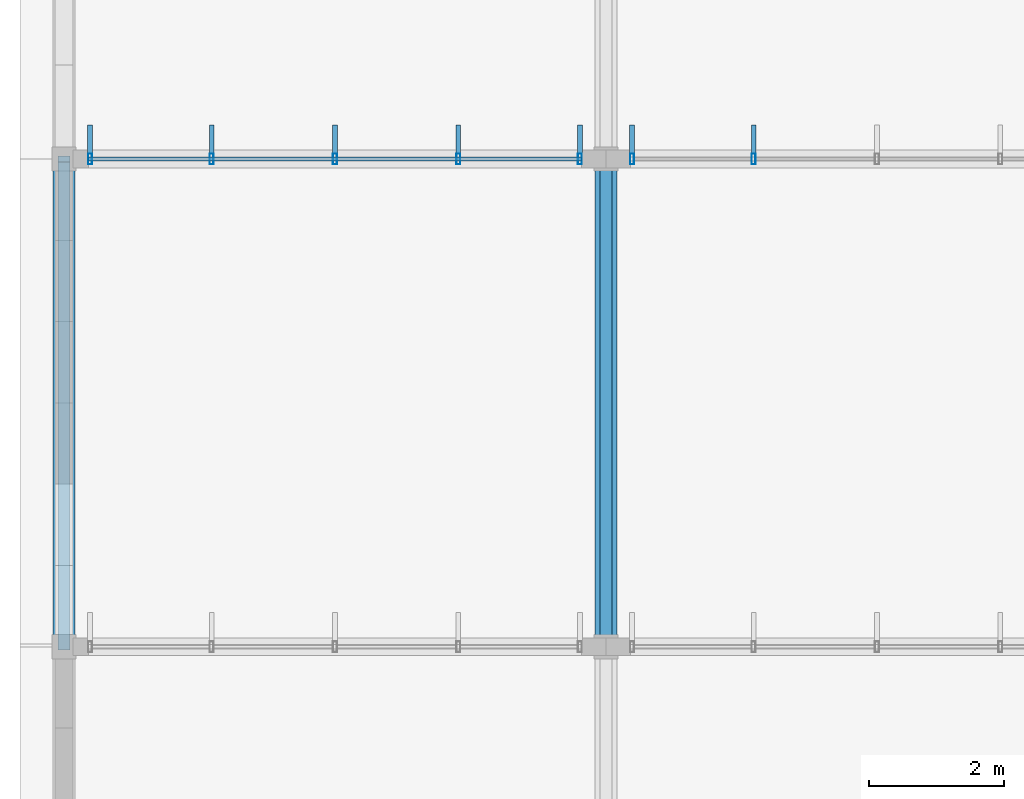
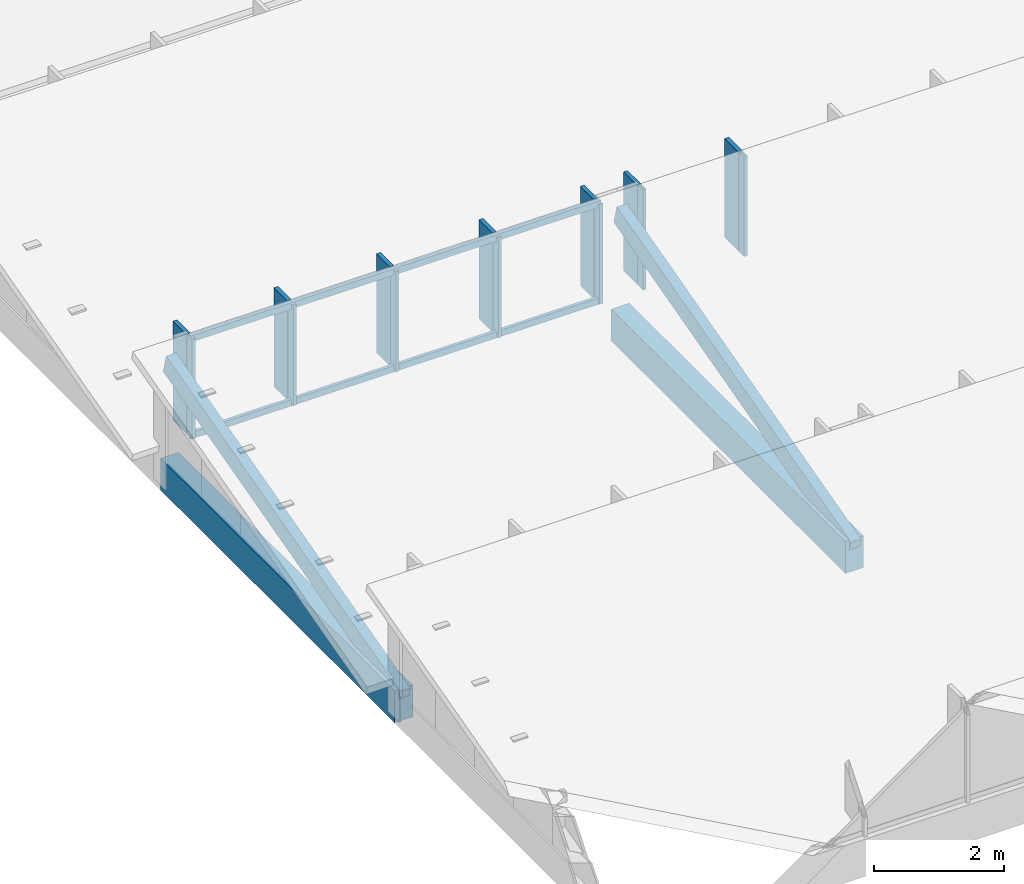
# One storey, part 34 of 94: 20 members, 2 elements without a shape of their own.
"""IFC4 building model written with IfcOpenShell, lengths in metres."""

from ifc_helpers import new_model, si_unit, direction, frame, origin, origin_2d, place, context, subcontext, project, spatial, rectangle, hollow_rectangle, extrude, material, material_profile, profile_set, type_object, element, aggregate, save


model = new_model("IFC4")

# Units and contexts
model_context = context("Model", 3, precision=1e-05, world=origin(), true_north=direction((0.0, 1.0)))
body_context = subcontext(model_context, "Body", "Model", "MODEL_VIEW")
ifc_project = project(units=[si_unit("LENGTHUNIT", "METRE"), si_unit("AREAUNIT", "SQUARE_METRE"), si_unit("VOLUMEUNIT", "CUBIC_METRE"), si_unit("PLANEANGLEUNIT", "RADIAN"), si_unit("MASSUNIT", "GRAM", prefix="KILO")], contexts=[model_context])

# Site, building, storey
site_placement = place(None, origin())
site = spatial("IfcSite", under=ifc_project, at=site_placement, CompositionType="ELEMENT")
building_placement = place(site_placement, origin())
building = spatial("IfcBuilding", under=site, at=building_placement, Name="Chiffa Square Polytechnic", CompositionType="ELEMENT")
storey_placement = place(building_placement, frame((0.0, 0.0, 18.0)))
storey = spatial("IfcBuildingStorey", under=building, at=storey_placement, Name="L04", CompositionType="ELEMENT", Elevation=18.0)

# Curtain wall, members
ifc_material_1 = material(Name="Aluminium EN AW-6060 T66 and glulam shading", Category="wood")
curtain_wall_type_1 = type_object("IfcCurtainWallType", Name="CW-VERT-450X440", PredefinedType="USERDEFINED", material=ifc_material_1)
curtain_wall_1_placement = place(storey_placement, origin())
curtain_wall_1 = element("IfcCurtainWall", 1, at=curtain_wall_1_placement, inside=storey, type_object=curtain_wall_type_1, Name="Curtain wall CW-V6-SAW7-1", ObjectType="CURTAIN WALL", PredefinedType="USERDEFINED")
ifc_material_2 = material(Name="Aluminium EN AW-6060 T66", Category="aluminium")
ifc_material_profile_1 = material_profile(ifc_material_2, hollow_rectangle(XDim=0.06005859375, YDim=0.159912109375, WallThickness=0.00390625, at=origin_2d()), Name="ALU 60x160x4")
ifc_profile_set_1 = profile_set([ifc_material_profile_1], Name="Aluminium EN AW-6060 T66")
member_type_1 = type_object("IfcMemberType", Name="CWM-ALU-65X150", PredefinedType="MULLION", material=ifc_profile_set_1)
member_1_placement = place(storey_placement, frame((7.614990234375, 87.0, 0.699951171875), z_axis=(0.0, 0.0, 1.0), x_axis=(1.0, 0.0, 0.0)))
member_1 = element("IfcMember", 2, at=member_1_placement, type_object=member_type_1, Name="Curtain wall mullion CW-V6-SAW7-1-M00", PredefinedType="MULLION", context=body_context, shape_type="SweptSolid", body=[
    extrude(hollow_rectangle(XDim=0.06005859375, YDim=0.159912109375, WallThickness=0.00390625, at=origin_2d()), origin(), (0.0, 0.0, 1.0), 1.879150390625),
])
member_2_placement = place(storey_placement, frame((5.820068359375, 87.0, 0.699951171875), z_axis=(0.0, 0.0, 1.0), x_axis=(1.0, 0.0, 0.0)))
member_2 = element("IfcMember", 3, at=member_2_placement, type_object=member_type_1, Name="Curtain wall mullion CW-V6-SAW7-1-M01", PredefinedType="MULLION", context=body_context, shape_type="SweptSolid", body=[
    extrude(hollow_rectangle(XDim=0.06005859375, YDim=0.159912109375, WallThickness=0.00390625, at=origin_2d()), origin(), (0.0, 0.0, 1.0), 1.879150390625),
])
member_3_placement = place(storey_placement, frame((4.0, 87.0, 0.699951171875), z_axis=(0.0, 0.0, 1.0), x_axis=(1.0, 0.0, 0.0)))
member_3 = element("IfcMember", 4, at=member_3_placement, type_object=member_type_1, Name="Curtain wall mullion CW-V6-SAW7-1-M02", PredefinedType="MULLION", context=body_context, shape_type="SweptSolid", body=[
    extrude(hollow_rectangle(XDim=0.06005859375, YDim=0.159912109375, WallThickness=0.00390625, at=origin_2d()), origin(), (0.0, 0.0, 1.0), 1.879150390625),
])
member_4_placement = place(storey_placement, frame((2.179931640625, 87.0, 0.699951171875), z_axis=(0.0, 0.0, 1.0), x_axis=(1.0, 0.0, 0.0)))
member_4 = element("IfcMember", 5, at=member_4_placement, type_object=member_type_1, Name="Curtain wall mullion CW-V6-SAW7-1-M03", PredefinedType="MULLION", context=body_context, shape_type="SweptSolid", body=[
    extrude(hollow_rectangle(XDim=0.06005859375, YDim=0.159912109375, WallThickness=0.00390625, at=origin_2d()), origin(), (0.0, 0.0, 1.0), 1.879150390625),
])
member_5_placement = place(storey_placement, frame((0.385009765625, 87.0, 0.699951171875), z_axis=(0.0, 0.0, 1.0), x_axis=(1.0, 0.0, 0.0)))
member_5 = element("IfcMember", 6, at=member_5_placement, type_object=member_type_1, Name="Curtain wall mullion CW-V6-SAW7-1-M04", PredefinedType="MULLION", context=body_context, shape_type="SweptSolid", body=[
    extrude(hollow_rectangle(XDim=0.06005859375, YDim=0.159912109375, WallThickness=0.00390625, at=origin_2d()), origin(), (0.0, 0.0, 1.0), 1.879150390625),
])

curtain_wall_type_2 = type_object("IfcCurtainWallType", Name="CW-VERT-600X440", PredefinedType="USERDEFINED", material=ifc_material_1)
curtain_wall_2_placement = place(storey_placement, origin())
curtain_wall_2 = element("IfcCurtainWall", 7, at=curtain_wall_2_placement, inside=storey, type_object=curtain_wall_type_2, Name="Curtain wall CW-V6-SAW7-2", ObjectType="CURTAIN WALL", PredefinedType="USERDEFINED")
member_6_placement = place(storey_placement, frame((10.179931640625, 87.0, 0.699951171875), z_axis=(0.0, 0.0, 1.0), x_axis=(1.0, 0.0, 0.0)))
member_6 = element("IfcMember", 8, at=member_6_placement, type_object=member_type_1, Name="Curtain wall mullion CW-V6-SAW7-2-M03", PredefinedType="MULLION", context=body_context, shape_type="SweptSolid", body=[
    extrude(hollow_rectangle(XDim=0.06005859375, YDim=0.159912109375, WallThickness=0.00390625, at=origin_2d()), origin(), (0.0, 0.0, 1.0), 1.879150390625),
])
member_7_placement = place(storey_placement, frame((8.385009765625, 87.0, 0.699951171875), z_axis=(0.0, 0.0, 1.0), x_axis=(1.0, 0.0, 0.0)))
member_7 = element("IfcMember", 9, at=member_7_placement, type_object=member_type_1, Name="Curtain wall mullion CW-V6-SAW7-2-M04", PredefinedType="MULLION", context=body_context, shape_type="SweptSolid", body=[
    extrude(hollow_rectangle(XDim=0.06005859375, YDim=0.159912109375, WallThickness=0.00390625, at=origin_2d()), origin(), (0.0, 0.0, 1.0), 1.879150390625),
])

# Member
ifc_material_3 = material(Name="Glulam GL28h", Category="wood")
ifc_material_profile_2 = material_profile(ifc_material_3, rectangle(XDim=0.070068359375, YDim=0.419921875, at=origin_2d()), Name="GL28h 70x420")
ifc_profile_set_2 = profile_set([ifc_material_profile_2], Name="Glulam GL28h")
member_type_2 = type_object("IfcMemberType", Name="CWM-GL-70X420", PredefinedType="MULLION", material=ifc_profile_set_2)
member_8_placement = place(storey_placement, frame((7.614990234375, 87.2919921875, 0.7099609375), z_axis=(0.0, 0.0, 1.0), x_axis=(-1.0, 0.0, 0.0)))
member_8 = element("IfcMember", 10, at=member_8_placement, type_object=member_type_2, Name="Exterior glulam solar fin CW-V6-SAW7-1-FN00", PredefinedType="MULLION", context=body_context, shape_type="SweptSolid", body=[
    extrude(rectangle(XDim=0.070068359375, YDim=0.419921875, at=origin_2d()), origin(), (0.0, 0.0, 1.0), 1.859130859375),
])

member_9_placement = place(storey_placement, frame((5.820068359375, 87.2919921875, 0.7099609375), z_axis=(0.0, 0.0, 1.0), x_axis=(-1.0, 0.0, 0.0)))
member_9 = element("IfcMember", 11, at=member_9_placement, type_object=member_type_2, Name="Exterior glulam solar fin CW-V6-SAW7-1-FN01", PredefinedType="MULLION", context=body_context, shape_type="SweptSolid", body=[
    extrude(rectangle(XDim=0.070068359375, YDim=0.419921875, at=origin_2d()), origin(), (0.0, 0.0, 1.0), 1.859130859375),
])

member_10_placement = place(storey_placement, frame((4.0, 87.2919921875, 0.7099609375), z_axis=(0.0, 0.0, 1.0), x_axis=(-1.0, 0.0, 0.0)))
member_10 = element("IfcMember", 12, at=member_10_placement, type_object=member_type_2, Name="Exterior glulam solar fin CW-V6-SAW7-1-FN02", PredefinedType="MULLION", context=body_context, shape_type="SweptSolid", body=[
    extrude(rectangle(XDim=0.070068359375, YDim=0.419921875, at=origin_2d()), origin(), (0.0, 0.0, 1.0), 1.859130859375),
])

member_11_placement = place(storey_placement, frame((2.179931640625, 87.2919921875, 0.7099609375), z_axis=(0.0, 0.0, 1.0), x_axis=(-1.0, 0.0, 0.0)))
member_11 = element("IfcMember", 13, at=member_11_placement, type_object=member_type_2, Name="Exterior glulam solar fin CW-V6-SAW7-1-FN03", PredefinedType="MULLION", context=body_context, shape_type="SweptSolid", body=[
    extrude(rectangle(XDim=0.070068359375, YDim=0.419921875, at=origin_2d()), origin(), (0.0, 0.0, 1.0), 1.859130859375),
])

member_12_placement = place(storey_placement, frame((0.385009765625, 87.2919921875, 0.7099609375), z_axis=(0.0, 0.0, 1.0), x_axis=(-1.0, 0.0, 0.0)))
member_12 = element("IfcMember", 14, at=member_12_placement, type_object=member_type_2, Name="Exterior glulam solar fin CW-V6-SAW7-1-FN04", PredefinedType="MULLION", context=body_context, shape_type="SweptSolid", body=[
    extrude(rectangle(XDim=0.070068359375, YDim=0.419921875, at=origin_2d()), origin(), (0.0, 0.0, 1.0), 1.859130859375),
])

member_13_placement = place(storey_placement, frame((10.179931640625, 87.2919921875, 0.7099609375), z_axis=(0.0, 0.0, 1.0), x_axis=(-1.0, 0.0, 0.0)))
member_13 = element("IfcMember", 15, at=member_13_placement, type_object=member_type_2, Name="Exterior glulam solar fin CW-V6-SAW7-2-FN03", PredefinedType="MULLION", context=body_context, shape_type="SweptSolid", body=[
    extrude(rectangle(XDim=0.070068359375, YDim=0.419921875, at=origin_2d()), origin(), (0.0, 0.0, 1.0), 1.859130859375),
])

member_14_placement = place(storey_placement, frame((8.385009765625, 87.2919921875, 0.7099609375), z_axis=(0.0, 0.0, 1.0), x_axis=(-1.0, 0.0, 0.0)))
member_14 = element("IfcMember", 16, at=member_14_placement, type_object=member_type_2, Name="Exterior glulam solar fin CW-V6-SAW7-2-FN04", PredefinedType="MULLION", context=body_context, shape_type="SweptSolid", body=[
    extrude(rectangle(XDim=0.070068359375, YDim=0.419921875, at=origin_2d()), origin(), (0.0, 0.0, 1.0), 1.859130859375),
])

aggregate(curtain_wall_2, [member_6, member_13, member_7, member_14])

ifc_material_profile_3 = material_profile(ifc_material_2, hollow_rectangle(XDim=0.06005859375, YDim=0.1201171875, WallThickness=0.00390625, at=origin_2d()), Name="ALU 60x120x4")
ifc_profile_set_3 = profile_set([ifc_material_profile_3], Name="Aluminium EN AW-6060 T66")
member_type_3 = type_object("IfcMemberType", Name="CWT-ALU-65X120", PredefinedType="USERDEFINED", material=ifc_profile_set_3)
member_15_placement = place(storey_placement, frame((7.64208984375, 87.0, 0.72998046875), z_axis=(-1.0, 0.0, 0.0), x_axis=(0.0, -1.0, 0.0)))
member_15 = element("IfcMember", 17, at=member_15_placement, type_object=member_type_3, Name="Curtain wall transom CW-V6-SAW7-1-T01", ObjectType="TRANSOM", PredefinedType="USERDEFINED", context=body_context, shape_type="SweptSolid", body=[
    extrude(hollow_rectangle(XDim=0.06005859375, YDim=0.1201171875, WallThickness=0.00390625, at=origin_2d()), origin(), (0.0, 0.0, 1.0), 7.2841796875),
])

member_16_placement = place(storey_placement, frame((7.64208984375, 87.0, 2.549072265625), z_axis=(-1.0, 0.0, 0.0), x_axis=(0.0, -1.0, 0.0)))
member_16 = element("IfcMember", 18, at=member_16_placement, type_object=member_type_3, Name="Curtain wall transom CW-V6-SAW7-1-T02", ObjectType="TRANSOM", PredefinedType="USERDEFINED", context=body_context, shape_type="SweptSolid", body=[
    extrude(hollow_rectangle(XDim=0.06005859375, YDim=0.1201171875, WallThickness=0.00390625, at=origin_2d()), origin(), (0.0, 0.0, 1.0), 7.2841796875),
])

aggregate(curtain_wall_1, [member_1, member_8, member_2, member_9, member_3, member_10, member_4, member_11, member_5, member_12, member_15, member_16])

# Members
ifc_material_4 = material(Name="Glulam GL32c", Category="wood")
ifc_material_profile_4 = material_profile(ifc_material_4, rectangle(XDim=0.320068359375, YDim=0.60009765625, at=origin_2d()), Name="GL32c 320x600")
ifc_profile_set_4 = profile_set([ifc_material_profile_4], Name="Glulam GL32c")
member_type_4 = type_object("IfcMemberType", Name="MEM-CHORD-GL320", PredefinedType="CHORD", material=ifc_profile_set_4)
for number, where, z_axis, x_axis, name in (
    (19, (0.0, 79.800048828125, 0.179931640625), (0.0, 1.0, 0.0), (-1.0, 0.0, 0.0), "Studio sawtooth tie chord TCB-V6-SAW-031"),
    (20, (8.0, 79.800048828125, 0.179931640625), (0.0, 1.0, 0.0), (-1.0, 0.0, 0.0), "Studio sawtooth tie chord TCB-V6-SAW-032"),
):
    element("IfcMember", number, at=place(storey_placement, frame(where, z_axis=z_axis, x_axis=x_axis)), inside=storey, type_object=member_type_4, Name=name, PredefinedType="CHORD", context=body_context, shape_type="SweptSolid", body=[
        extrude(rectangle(XDim=0.320068359375, YDim=0.60009765625, at=origin_2d()), origin(), (0.0, 0.0, 1.0), 7.199951171875),
    ])
ifc_material_profile_5 = material_profile(ifc_material_3, rectangle(XDim=0.179931640625, YDim=0.360107421875, at=origin_2d()), Name="GL28h 180x360")
ifc_profile_set_5 = profile_set([ifc_material_profile_5], Name="Glulam GL28h")
member_type_5 = type_object("IfcMemberType", Name="MEM-RFT-GL180", PredefinedType="RAFTER", material=ifc_profile_set_5)
for number, where, z_axis, x_axis, name in (
    (21, (0.0, 79.800048828125, 0.300048828125), (0.0, 0.965934748059, 0.258785746309), (-1.0, 0.0, 0.0), "Studio sawtooth glulam rafter RF-V6-L04-031"),
    (22, (8.0, 79.800048828125, 0.300048828125), (0.0, 0.965934748059, 0.258785746309), (-1.0, 0.0, 0.0), "Studio sawtooth glulam rafter RF-V6-L04-032"),
):
    element("IfcMember", number, at=place(storey_placement, frame(where, z_axis=z_axis, x_axis=x_axis)), inside=storey, type_object=member_type_5, Name=name, PredefinedType="RAFTER", context=body_context, shape_type="SweptSolid", body=[
        extrude(rectangle(XDim=0.179931640625, YDim=0.360107421875, at=origin_2d()), origin(), (0.0, 0.0, 1.0), 7.453857421875),
    ])

save(model, "model.ifc")
